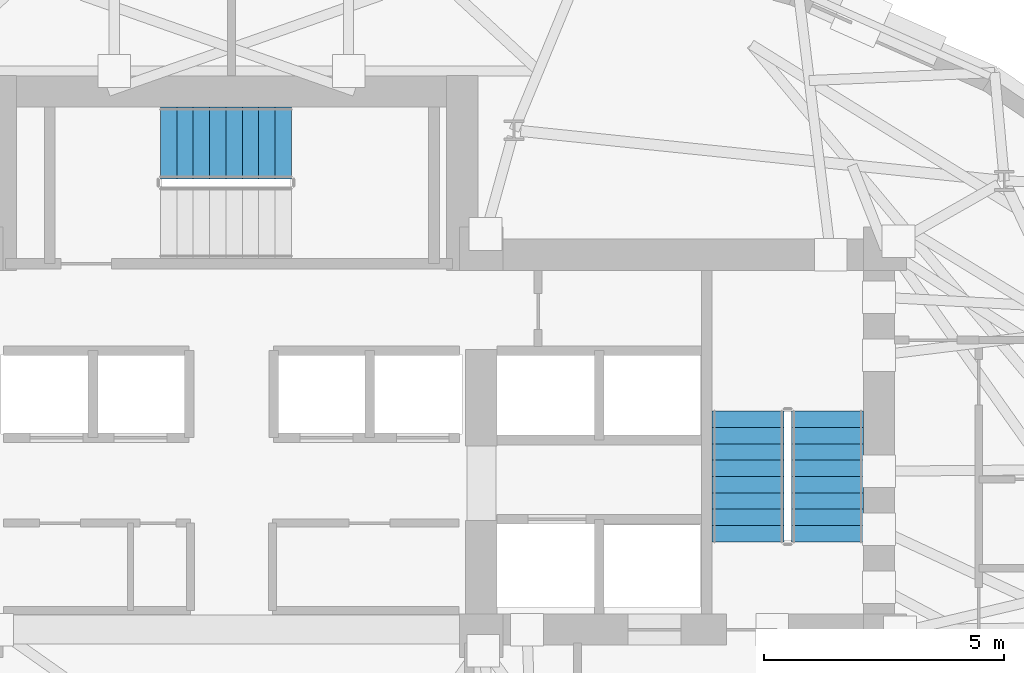
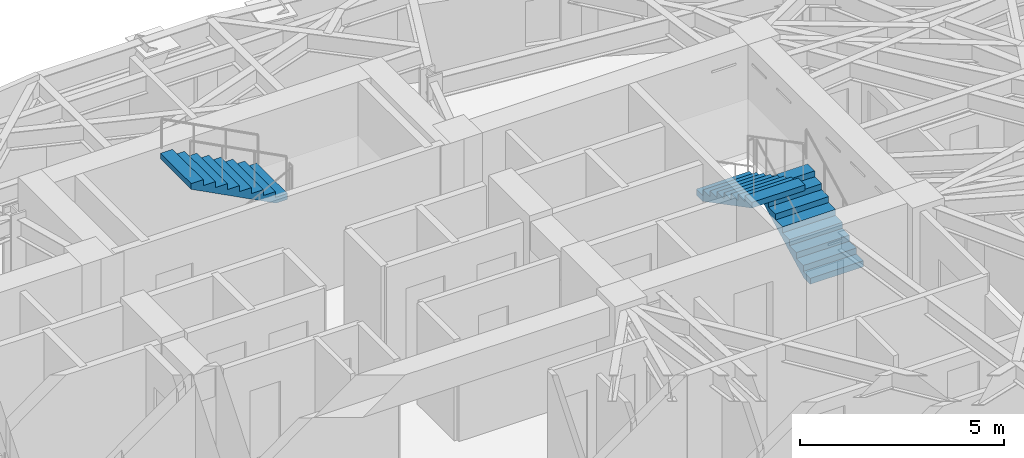
# One storey, part 11 of 15: 3 stair flights, 2 elements without a shape of their own.
"""IFC4 building model written with IfcOpenShell, lengths in metres."""

import ifcopenshell
import ifcopenshell.guid

model = None  # the IFC model being written
_history = None  # IfcOwnerHistory: only IFC2X3 demands one
_inside = {}  # id of a spatial element -> (the spatial element, [elements in it])
_under = {}  # id of a project, library or spatial element -> (it, [spatial elements below it])
_declared = {}  # id of a project -> (the project, [libraries it declares])
_typed = {}  # id of a type object -> (the type object, [elements of that type])
_made_of = {}  # id of a material, layer set ... -> (it, [elements and type objects made of it])


def new_model(schema):
    """Start an empty IFC model of exactly this schema.

    Asked for "IFC4X3", IfcOpenShell would pick the latest addendum, in which some entities
    have other attributes; the version numbers below select the first issue.
    IFC2X3 requires an IfcOwnerHistory on every rooted entity: one is made here for all.
    """
    global model, _history
    if schema == "IFC4X3":
        model = ifcopenshell.file(schema_version=(4, 3, 0, 0))
    else:
        model = ifcopenshell.file(schema=schema)
    _inside.clear()
    _under.clear()
    _declared.clear()
    _typed.clear()
    _made_of.clear()
    _history = None
    if model.schema == "IFC2X3":
        org = make("IfcOrganization", Name="unknown")
        user = make(
            "IfcPersonAndOrganization",
            ThePerson=make("IfcPerson", FamilyName="unknown"),
            TheOrganization=org,
        )
        app = make(
            "IfcApplication",
            ApplicationDeveloper=org,
            Version="unknown",
            ApplicationFullName="unknown",
            ApplicationIdentifier="unknown",
        )
        _history = make(
            "IfcOwnerHistory",
            OwningUser=user,
            OwningApplication=app,
            ChangeAction="ADDED",
            CreationDate=0,
        )
    return model


def make(cls, **values):
    """One entity of the class cls with the attributes given. An attribute that is None is left unset."""
    return model.create_entity(
        cls, **{name: value for name, value in values.items() if value is not None}
    )


def rooted(cls, **values):
    """An entity with a GlobalId (a new one), such as an element, a storey or a relation."""
    return make(cls, GlobalId=ifcopenshell.guid.new(), OwnerHistory=_history, **values)


def si_unit(unit_type, name, prefix=None):
    """IfcSIUnit, for example si_unit("LENGTHUNIT", "METRE", prefix="MILLI")."""
    return make("IfcSIUnit", UnitType=unit_type, Prefix=prefix, Name=name)


def assignment(units):
    """IfcUnitAssignment: the units of a project."""
    return None if units is None else make("IfcUnitAssignment", Units=units)


def point(xyz):
    """IfcCartesianPoint."""
    return None if xyz is None else make("IfcCartesianPoint", Coordinates=xyz)


def direction(xyz):
    """IfcDirection."""
    return None if xyz is None else make("IfcDirection", DirectionRatios=xyz)


def frame(location, z_axis=None, x_axis=None):
    """IfcAxis2Placement3D, a coordinate frame: its origin and axes. An axis left out is left unset."""
    return make(
        "IfcAxis2Placement3D",
        Location=point(location),
        Axis=direction(z_axis),
        RefDirection=direction(x_axis),
    )


def origin():
    """The frame at (0, 0, 0) with its axes left unset."""
    return frame((0.0, 0.0, 0.0))


def place(relative_to, where):
    """IfcLocalPlacement: puts the frame where relative to a parent placement (None: the world)."""
    return make(
        "IfcLocalPlacement", PlacementRelTo=relative_to, RelativePlacement=where
    )


def context(
    kind, dimensions, precision=None, world=None, true_north=None, identifier=None
):
    """IfcGeometricRepresentationContext, for example the 3D "Model" context."""
    return make(
        "IfcGeometricRepresentationContext",
        ContextIdentifier=identifier,
        ContextType=kind,
        CoordinateSpaceDimension=dimensions,
        Precision=precision,
        WorldCoordinateSystem=world,
        TrueNorth=true_north,
    )


def subcontext(parent, identifier, kind, view, scale=None):
    """IfcGeometricRepresentationSubContext, for example "Body" below "Model"."""
    return make(
        "IfcGeometricRepresentationSubContext",
        ContextIdentifier=identifier,
        ContextType=kind,
        ParentContext=parent,
        TargetScale=scale,
        TargetView=view,
    )


def project(units=None, contexts=None):
    """IfcProject with its units and contexts."""
    return rooted(
        "IfcProject",
        Name="project",
        RepresentationContexts=contexts,
        UnitsInContext=assignment(units),
    )


def spatial(cls, under=None, at=None, **own):
    """A site, building, storey or space (cls), placed at a placement, below another one or the project."""
    s = rooted(cls, ObjectPlacement=at, **own)
    if under is not None:
        _under.setdefault(under.id(), (under, []))[1].append(s)
    return s


def polyline(points):
    """IfcPolyline through the points."""
    return make("IfcPolyline", Points=[point(p) for p in points])


def outline(outer, holes=None, kind="AREA"):
    """IfcArbitraryClosedProfileDef: a profile drawn as a closed curve; with holes, ...WithVoids."""
    if holes is None:
        return make("IfcArbitraryClosedProfileDef", ProfileType=kind, OuterCurve=outer)
    return make(
        "IfcArbitraryProfileDefWithVoids",
        ProfileType=kind,
        OuterCurve=outer,
        InnerCurves=holes,
    )


def extrude(swept, where, along, depth):
    """IfcExtrudedAreaSolid: the profile swept, set in the frame where, extruded along a direction by depth."""
    return make(
        "IfcExtrudedAreaSolid",
        SweptArea=swept,
        Position=where,
        ExtrudedDirection=direction(along),
        Depth=depth,
    )


def shape(context_of_items, identifier, shape_type, items):
    """IfcShapeRepresentation: the items that make up one representation, for example the "Body"."""
    return make(
        "IfcShapeRepresentation",
        ContextOfItems=context_of_items,
        RepresentationIdentifier=identifier,
        RepresentationType=shape_type,
        Items=items,
    )


def material(Name=None, Category=None):
    """IfcMaterial."""
    return make("IfcMaterial", Name=Name, Category=Category)


def made_of(thing, what):
    """Note that an element or type object is made of a material, layer set ...; save() writes the relation."""
    if what is not None:
        _made_of.setdefault(what.id(), (what, []))[1].append(thing)
    return thing


def type_object(cls, material=None, **own):
    """A type object (cls), such as IfcWallType, which elements share."""
    return made_of(rooted(cls, **own), material)


def element(
    cls,
    number,
    at=None,
    inside=None,
    cuts=None,
    type_object=None,
    material=None,
    context=None,
    identifier="Body",
    shape_type=None,
    held_by="IfcProductDefinitionShape",
    body=None,
    shapes=None,
    **own,
):
    """One element of the class cls, such as IfcWall. Its Tag is "e" and its number.

    at: its placement. inside: the storey or other place that contains it. cuts: it is an
    opening in that element (IfcRelVoidsElement). A single representation is given by context,
    identifier, shape_type and body (its items); several are given by shapes. held_by: the class
    of the entity that holds the representations. save() writes the other relations.
    """
    e = rooted(cls, Tag="e%d" % number, ObjectPlacement=at, **own)
    if body is not None:
        shapes = [shape(context, identifier, shape_type, body)]
    if shapes is not None:
        e.Representation = make(held_by, Representations=shapes)
    if inside is not None:
        _inside.setdefault(inside.id(), (inside, []))[1].append(e)
    if cuts is not None:
        rooted(
            "IfcRelVoidsElement", RelatingBuildingElement=cuts, RelatedOpeningElement=e
        )
    if type_object is not None:
        _typed.setdefault(type_object.id(), (type_object, []))[1].append(e)
    return made_of(e, material)


def aggregate(whole, parts):
    """IfcRelAggregates: a whole, such as a stair, and the parts it consists of."""
    return rooted("IfcRelAggregates", RelatingObject=whole, RelatedObjects=parts)


def save(model, path):
    """Write the relations noted so far, then the file.

    IfcRelAggregates (storeys below a building ...), IfcRelContainedInSpatialStructure (elements
    in a storey), IfcRelDefinesByType, IfcRelAssociatesMaterial and IfcRelDeclares: one each for
    every whole, place, type object, material and project.
    """
    for whole, parts in _under.values():
        aggregate(whole, parts)
    for where, things in _inside.values():
        rooted(
            "IfcRelContainedInSpatialStructure",
            RelatedElements=things,
            RelatingStructure=where,
        )
    for kind, things in _typed.values():
        rooted("IfcRelDefinesByType", RelatedObjects=things, RelatingType=kind)
    for what, things in _made_of.values():
        rooted("IfcRelAssociatesMaterial", RelatedObjects=things, RelatingMaterial=what)
    for by, libraries in _declared.values():
        rooted("IfcRelDeclares", RelatingContext=by, RelatedDefinitions=libraries)
    model.write(path)


model = new_model("IFC4")

# Units and contexts
model_context = context("Model", 3, precision=1e-05, world=origin(), true_north=direction((0.0, 1.0)))
body_context = subcontext(model_context, "Body", "Model", "MODEL_VIEW")
ifc_project = project(units=[si_unit("LENGTHUNIT", "METRE"), si_unit("AREAUNIT", "SQUARE_METRE"), si_unit("VOLUMEUNIT", "CUBIC_METRE"), si_unit("PLANEANGLEUNIT", "RADIAN"), si_unit("MASSUNIT", "GRAM", prefix="KILO")], contexts=[model_context])

# Site, building, storey
site_placement = place(None, origin())
site = spatial("IfcSite", under=ifc_project, at=site_placement, CompositionType="ELEMENT")
building_placement = place(site_placement, origin())
building = spatial("IfcBuilding", under=site, at=building_placement, Name="Keldmark Tower", CompositionType="ELEMENT")
storey_placement = place(building_placement, frame((0.0, 0.0, 159.800048828125)))
storey = spatial("IfcBuildingStorey", under=building, at=storey_placement, Name="L43", CompositionType="ELEMENT", Elevation=159.800048828125)

# Stair, stair flights
ifc_material_1 = material(Name="Concrete C40/50", Category="concrete")
stair_type = type_object("IfcStairType", Name="Precast Concrete Core Exit Stair", PredefinedType="HALF_TURN_STAIR", material=ifc_material_1)
stair_1_placement = place(storey_placement, origin())
stair_1 = element("IfcStair", 1, at=stair_1_placement, inside=storey, type_object=stair_type, Name="L43 Exit Stair ST2", PredefinedType="HALF_TURN_STAIR")
ifc_material_2 = material(Name="Concrete C40/50", Category="concrete")
stair_flight_type = type_object("IfcStairFlightType", Name="Precast Concrete Stair Flight 1500 mm", PredefinedType="STRAIGHT", material=ifc_material_2)
stair_flight_1_placement = place(storey_placement, frame((12.39990234375, 3.35009765625, 0.0), z_axis=(0.0, 0.0, 1.0), x_axis=(0.0, 1.0, 0.0)))
stair_flight_1 = element("IfcStairFlight", 2, at=stair_flight_1_placement, type_object=stair_flight_type, Name="ST2 flight 1", NumberOfRisers=9, NumberOfTreads=8, PredefinedType="STRAIGHT", RiserHeight=0.177777778, TreadLength=0.34, context=body_context, shape_type="SweptSolid", body=[
    extrude(outline(polyline([(0.0, 0.0), (0.0, 0.177734375), (0.340087890625, 0.177734375), (0.340087890625, 0.35546875), (0.679931640625, 0.35546875), (0.679931640625, 0.533447265625), (1.02001953125, 0.533447265625), (1.02001953125, 0.711181640625), (1.360107421875, 0.711181640625), (1.360107421875, 0.888916015625), (1.699951171875, 0.888916015625), (1.699951171875, 1.066650390625), (2.0400390625, 1.066650390625), (2.0400390625, 1.244384765625), (2.3798828125, 1.244384765625), (2.3798828125, 1.422119140625), (2.719970703125, 1.422119140625), (2.719970703125, 1.60009765625), (2.719970703125, 1.253173828125), (0.323486328125, 0.0), (0.0, 0.0)])), frame((0.0, 0.75, 0.0), z_axis=(0.0, -1.0, 0.0), x_axis=(1.0, 0.0, 0.0)), (0.0, 0.0, 1.0), 1.5),
])
stair_flight_2_placement = place(storey_placement, frame((10.75, 6.070068359375, 1.599853515625), z_axis=(0.0, 0.0, 1.0), x_axis=(0.0, -1.0, 0.0)))
stair_flight_2 = element("IfcStairFlight", 3, at=stair_flight_2_placement, type_object=stair_flight_type, Name="ST2 flight 2", NumberOfRisers=9, NumberOfTreads=8, PredefinedType="STRAIGHT", RiserHeight=0.177777778, TreadLength=0.34, context=body_context, shape_type="SweptSolid", body=[
    extrude(outline(polyline([(0.0, 0.0), (0.0, 0.177734375), (0.340087890625, 0.177734375), (0.340087890625, 0.35546875), (0.679931640625, 0.35546875), (0.679931640625, 0.533447265625), (1.02001953125, 0.533447265625), (1.02001953125, 0.711181640625), (1.360107421875, 0.711181640625), (1.360107421875, 0.888916015625), (1.699951171875, 0.888916015625), (1.699951171875, 1.066650390625), (2.0400390625, 1.066650390625), (2.0400390625, 1.244384765625), (2.3798828125, 1.244384765625), (2.3798828125, 1.422119140625), (2.719970703125, 1.422119140625), (2.719970703125, 1.60009765625), (2.719970703125, 1.253173828125), (0.323486328125, 0.0), (0.0, 0.0)])), frame((0.0, 0.75, 0.0), z_axis=(0.0, -1.0, 0.0), x_axis=(1.0, 0.0, 0.0)), (0.0, 0.0, 1.0), 1.5),
])
aggregate(stair_1, [stair_flight_1, stair_flight_2])

# Stair, stair flight
stair_2_placement = place(storey_placement, origin())
stair_2 = element("IfcStair", 4, at=stair_2_placement, inside=storey, type_object=stair_type, Name="L43 Exit Stair ST3", PredefinedType="HALF_TURN_STAIR")
stair_flight_3_placement = place(storey_placement, frame((1.2451171875, 11.64990234375, 1.599853515625), z_axis=(0.0, 0.0, 1.0), x_axis=(-1.0, 0.0, 0.0)))
stair_flight_3 = element("IfcStairFlight", 5, at=stair_flight_3_placement, type_object=stair_flight_type, Name="ST3 flight 2", NumberOfRisers=9, NumberOfTreads=8, PredefinedType="STRAIGHT", RiserHeight=0.177777778, TreadLength=0.34, context=body_context, shape_type="SweptSolid", body=[
    extrude(outline(polyline([(0.0, 0.0), (0.0, 0.177734375), (0.340087890625, 0.177734375), (0.340087890625, 0.35546875), (0.679931640625, 0.35546875), (0.679931640625, 0.533447265625), (1.02001953125, 0.533447265625), (1.02001953125, 0.711181640625), (1.360107421875, 0.711181640625), (1.360107421875, 0.888916015625), (1.699951171875, 0.888916015625), (1.699951171875, 1.066650390625), (2.0400390625, 1.066650390625), (2.0400390625, 1.244384765625), (2.3798828125, 1.244384765625), (2.3798828125, 1.422119140625), (2.719970703125, 1.422119140625), (2.719970703125, 1.60009765625), (2.719970703125, 1.253173828125), (0.323486328125, 0.0), (0.0, 0.0)])), frame((0.0, 0.75, 0.0), z_axis=(0.0, -1.0, 0.0), x_axis=(1.0, 0.0, 0.0)), (0.0, 0.0, 1.0), 1.5),
])
aggregate(stair_2, [stair_flight_3])

save(model, "model.ifc")
